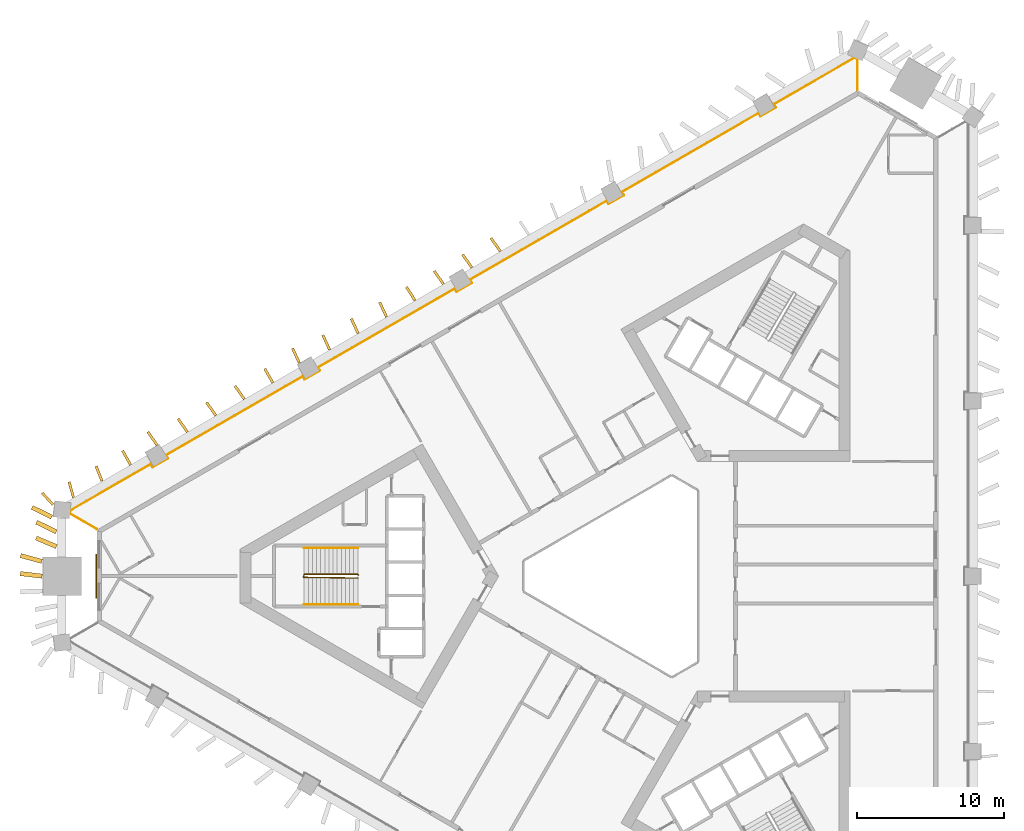
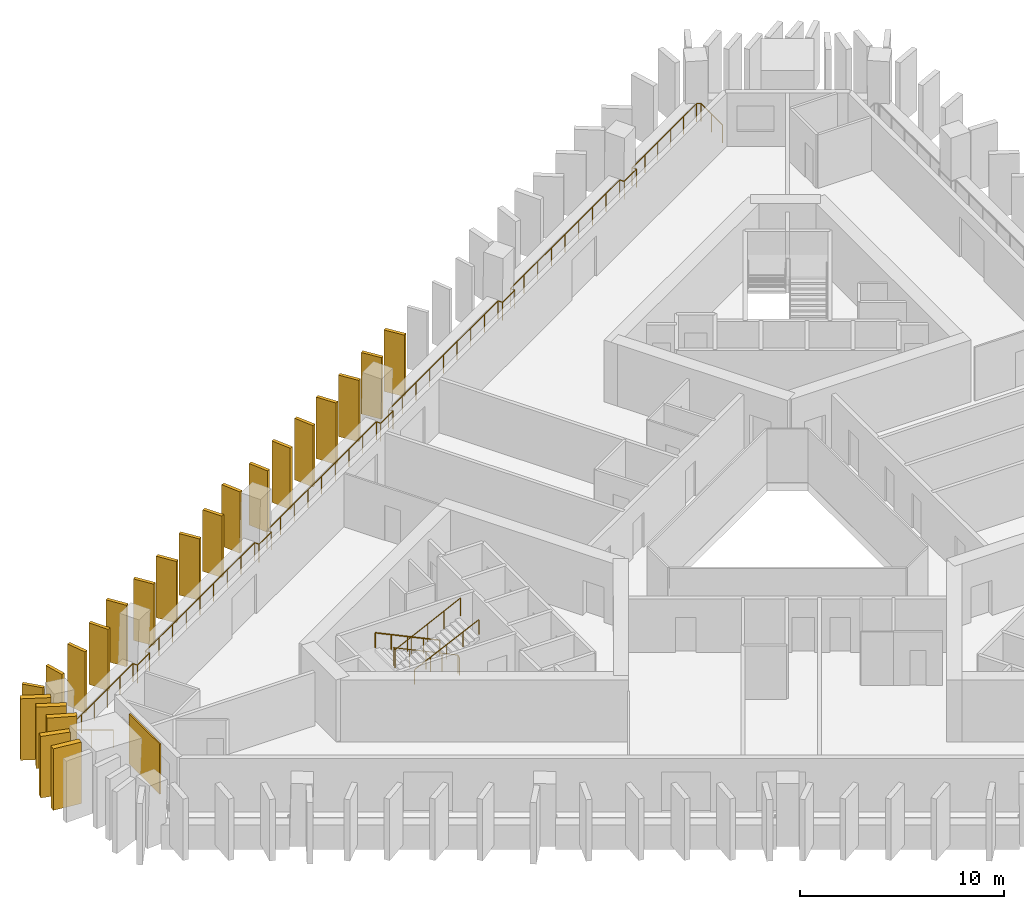
# One storey, part 8 of 10: 22 shading devices, 4 railings, 1 covering.
"""IFC4 building model written with IfcOpenShell, lengths in metres."""

from ifc_helpers import new_model, si_unit, direction, frame, frame_2d, origin, origin_2d, place, context, subcontext, project, spatial, rectangle, circle, extrude, material, layer, layer_set, type_object, element, save


model = new_model("IFC4")

# Units and contexts
model_context = context("Model", 3, precision=1e-05, world=origin(), true_north=direction((0.0, 1.0)))
body_context = subcontext(model_context, "Body", "Model", "MODEL_VIEW")
ifc_project = project(units=[si_unit("LENGTHUNIT", "METRE"), si_unit("AREAUNIT", "SQUARE_METRE"), si_unit("VOLUMEUNIT", "CUBIC_METRE"), si_unit("PLANEANGLEUNIT", "RADIAN"), si_unit("MASSUNIT", "GRAM", prefix="KILO")], contexts=[model_context])

# Site, building, storey
site_placement = place(None, origin())
site = spatial("IfcSite", under=ifc_project, at=site_placement, CompositionType="ELEMENT")
building_placement = place(site_placement, origin())
building = spatial("IfcBuilding", under=site, at=building_placement, Name="Jabali Bay Hotel Tower and Convention Centre", CompositionType="ELEMENT")
storey_placement = place(building_placement, frame((0.0, 0.0, 68.39990234375)))
storey = spatial("IfcBuildingStorey", under=building, at=storey_placement, Name="L15", CompositionType="ELEMENT", Elevation=68.39990234375)

# Railing
ifc_material_1 = material(Name="Glass", Category="glass")
railing_type_1 = type_object("IfcRailingType", Name="Loggia glass guard 1100", PredefinedType="BALUSTRADE", material=ifc_material_1)
railing_1_placement = place(storey_placement, frame((38.681884765625, 83.193603515625, 0.0)))
element("IfcRailing", 1, at=railing_1_placement, inside=storey, type_object=railing_type_1, Name="Loggia glass guard L15", PredefinedType="BALUSTRADE", context=body_context, shape_type="SweptSolid", body=[
    extrude(circle(Radius=0.02490234375, at=origin_2d()), frame((0.0, 0.0, 1.0751953125), z_axis=(-0.86605653045, 0.499946083158, 0.0), x_axis=(-0.495668975111, -0.858647296774, 0.13052619222)), (0.0, 0.0, 1.0), 2.110595703125),
    extrude(circle(Radius=0.02490234375, at=origin_2d()), frame((-1.827880859375, 1.05517578125, 1.0751953125), z_axis=(0.115918072513, 0.993258778197, 0.0), x_axis=(-0.984761311658, 0.114926377333, 0.13052619222)), (0.0, 0.0, 1.0), 0.21484375),
    extrude(circle(Radius=0.02490234375, at=origin_2d()), frame((-1.802978515625, 1.2685546875, 1.0751953125), z_axis=(0.866043460228, 0.499968724018, 0.0), x_axis=(-0.495691422276, 0.858634338369, 0.13052619222)), (0.0, 0.0, 1.0), 6.32177734375),
    extrude(circle(Radius=0.02490234375, at=origin_2d()), frame((3.671875, 4.42919921875, 1.0751953125), z_axis=(0.499919672301, -0.866071776036, 0.0), x_axis=(0.858662411932, 0.495642790202, 0.13052619222)), (0.0, 0.0, 1.0), 0.25),
    extrude(circle(Radius=0.02490234375, at=origin_2d()), frame((3.796875, 4.212646484375, 1.0751953125), z_axis=(0.866006032174, 0.500033551112, 0.0), x_axis=(-0.495755694765, 0.858597230518, 0.13052619222)), (0.0, 0.0, 1.0), 1.2001953125),
    extrude(circle(Radius=0.02490234375, at=origin_2d()), frame((4.836181640625, 4.812744140625, 1.0751953125), z_axis=(-0.499919672301, 0.866071776036, 0.0), x_axis=(-0.858662411932, -0.495642790202, 0.13052619222)), (0.0, 0.0, 1.0), 0.25),
    extrude(circle(Radius=0.02490234375, at=origin_2d()), frame((4.711181640625, 5.029296875, 1.0751953125), z_axis=(0.866022283585, 0.500005404305, 0.0), x_axis=(-0.495727788757, 0.858613342896, 0.13052619222)), (0.0, 0.0, 1.0), 10.73046875),
    extrude(circle(Radius=0.02490234375, at=origin_2d()), frame((14.00390625, 10.39453125, 1.0751953125), z_axis=(0.499919672301, -0.866071776036, 0.0), x_axis=(0.858662411932, 0.495642790202, 0.13052619222)), (0.0, 0.0, 1.0), 0.25),
    extrude(circle(Radius=0.02490234375, at=origin_2d()), frame((14.12890625, 10.177978515625, 1.0751953125), z_axis=(0.866006032174, 0.500033551112, 0.0), x_axis=(-0.495755694765, 0.858597230518, 0.13052619222)), (0.0, 0.0, 1.0), 1.2001953125),
    extrude(circle(Radius=0.02490234375, at=origin_2d()), frame((15.168212890625, 10.778076171875, 1.0751953125), z_axis=(-0.499919672301, 0.866071776036, 0.0), x_axis=(-0.858662411932, -0.495642790202, 0.13052619222)), (0.0, 0.0, 1.0), 0.25),
    extrude(circle(Radius=0.02490234375, at=origin_2d()), frame((15.043212890625, 10.99462890625, 1.0751953125), z_axis=(0.866027971625, 0.499995552344, 0.0), x_axis=(-0.495718021081, 0.858618982273, 0.13052619222)), (0.0, 0.0, 1.0), 10.73046875),
    extrude(circle(Radius=0.02490234375, at=origin_2d()), frame((24.336181640625, 16.35986328125, 1.0751953125), z_axis=(0.499919672301, -0.866071776036, 0.0), x_axis=(0.858662411932, 0.495642790202, 0.13052619222)), (0.0, 0.0, 1.0), 0.25),
    extrude(circle(Radius=0.02490234375, at=origin_2d()), frame((24.461181640625, 16.143310546875, 1.0751953125), z_axis=(0.865955154139, 0.50012165622, 0.0), x_axis=(-0.495843046121, 0.858546787751, 0.13052619222)), (0.0, 0.0, 1.0), 1.199951171875),
    extrude(circle(Radius=0.02490234375, at=origin_2d()), frame((25.500244140625, 16.743408203125, 1.0751953125), z_axis=(-0.500342721131, 0.865827443207, 0.0), x_axis=(-0.858420169404, -0.496062219791, 0.13052619222)), (0.0, 0.0, 1.0), 0.249755859375),
    extrude(circle(Radius=0.02490234375, at=origin_2d()), frame((25.375244140625, 16.959716796875, 1.0751953125), z_axis=(0.866018119769, 0.500012616072, 0.0), x_axis=(-0.495734938827, 0.858609214702, 0.13052619222)), (0.0, 0.0, 1.0), 10.730712890625),
    extrude(circle(Radius=0.02490234375, at=origin_2d()), frame((34.668212890625, 22.3251953125, 1.0751953125), z_axis=(0.499919672301, -0.866071776036, 0.0), x_axis=(0.858662411932, 0.495642790202, 0.13052619222)), (0.0, 0.0, 1.0), 0.25),
    extrude(circle(Radius=0.02490234375, at=origin_2d()), frame((34.793212890625, 22.108642578125, 1.0751953125), z_axis=(0.866094119867, 0.499880961361, 0.0), x_axis=(-0.49560441044, 0.858684564609, 0.13052619222)), (0.0, 0.0, 1.0), 1.199951171875),
    extrude(circle(Radius=0.02490234375, at=origin_2d()), frame((35.83251953125, 22.70849609375, 1.0751953125), z_axis=(-0.499919672301, 0.866071776036, 0.0), x_axis=(-0.858662411932, -0.495642790202, 0.13052619222)), (0.0, 0.0, 1.0), 0.25),
    extrude(circle(Radius=0.02490234375, at=origin_2d()), frame((35.70751953125, 22.925048828125, 1.0751953125), z_axis=(0.866027971625, 0.499995552344, 0.0), x_axis=(-0.495718021081, 0.858618982273, 0.13052619222)), (0.0, 0.0, 1.0), 10.73046875),
    extrude(circle(Radius=0.02490234375, at=origin_2d()), frame((45.00048828125, 28.290283203125, 1.0751953125), z_axis=(0.499919672301, -0.866071776036, 0.0), x_axis=(0.858662411932, 0.495642790202, 0.13052619222)), (0.0, 0.0, 1.0), 0.25),
    extrude(circle(Radius=0.02490234375, at=origin_2d()), frame((45.12548828125, 28.07373046875, 1.0751953125), z_axis=(0.865955154139, 0.50012165622, 0.0), x_axis=(-0.495843046121, 0.858546787751, 0.13052619222)), (0.0, 0.0, 1.0), 1.199951171875),
    extrude(circle(Radius=0.02490234375, at=origin_2d()), frame((46.16455078125, 28.673828125, 1.0751953125), z_axis=(-0.499919672301, 0.866071776036, 0.0), x_axis=(-0.858662411932, -0.495642790202, 0.13052619222)), (0.0, 0.0, 1.0), 0.25),
    extrude(circle(Radius=0.02490234375, at=origin_2d()), frame((46.03955078125, 28.890380859375, 1.0751953125), z_axis=(0.866026738007, 0.499997689051, 0.0), x_axis=(-0.495720139509, 0.858617759209, 0.13052619222)), (0.0, 0.0, 1.0), 6.32177734375),
    extrude(circle(Radius=0.02490234375, at=origin_2d()), frame((51.514404296875, 32.05126953125, 1.0751953125), z_axis=(0.917845837018, -0.396937047236, 0.0), x_axis=(0.393541195771, 0.909993538645, 0.13052619222)), (0.0, 0.0, 1.0), 0.214599609375),
    extrude(circle(Radius=0.02490234375, at=origin_2d()), frame((51.71142578125, 31.966064453125, 1.0751953125), z_axis=(0.0, -1.0, 0.0), x_axis=(0.991444861374, 0.0, 0.13052619222)), (0.0, 0.0, 1.0), 2.110595703125),
    extrude(circle(Radius=0.02001953125, at=origin_2d()), origin(), (0.0, 0.0, 1.0), 1.050048828125),
    extrude(circle(Radius=0.02001953125, at=origin_2d()), frame((-0.9140625, 0.527587890625, 0.0)), (0.0, 0.0, 1.0), 1.050048828125),
    extrude(circle(Radius=0.02001953125, at=origin_2d()), frame((-1.827880859375, 1.05517578125, 0.0)), (0.0, 0.0, 1.0), 1.050048828125),
    extrude(circle(Radius=0.02001953125, at=origin_2d()), frame((-1.802978515625, 1.2685546875, 0.0)), (0.0, 0.0, 1.0), 1.050048828125),
    extrude(circle(Radius=0.02001953125, at=origin_2d()), frame((-0.7080078125, 1.900634765625, 0.0)), (0.0, 0.0, 1.0), 1.050048828125),
    extrude(circle(Radius=0.02001953125, at=origin_2d()), frame((0.386962890625, 2.53271484375, 0.0)), (0.0, 0.0, 1.0), 1.050048828125),
    extrude(circle(Radius=0.02001953125, at=origin_2d()), frame((1.48193359375, 3.1650390625, 0.0)), (0.0, 0.0, 1.0), 1.050048828125),
    extrude(circle(Radius=0.02001953125, at=origin_2d()), frame((2.576904296875, 3.797119140625, 0.0)), (0.0, 0.0, 1.0), 1.050048828125),
    extrude(circle(Radius=0.02001953125, at=origin_2d()), frame((3.671875, 4.42919921875, 0.0)), (0.0, 0.0, 1.0), 1.050048828125),
    extrude(circle(Radius=0.02001953125, at=origin_2d()), frame((3.796875, 4.212646484375, 0.0)), (0.0, 0.0, 1.0), 1.050048828125),
    extrude(circle(Radius=0.02001953125, at=origin_2d()), frame((4.836181640625, 4.812744140625, 0.0)), (0.0, 0.0, 1.0), 1.050048828125),
    extrude(circle(Radius=0.02001953125, at=origin_2d()), frame((4.711181640625, 5.029296875, 0.0)), (0.0, 0.0, 1.0), 1.050048828125),
    extrude(circle(Radius=0.02001953125, at=origin_2d()), frame((5.872802734375, 5.699951171875, 0.0)), (0.0, 0.0, 1.0), 1.050048828125),
    extrude(circle(Radius=0.02001953125, at=origin_2d()), frame((7.034423828125, 6.37060546875, 0.0)), (0.0, 0.0, 1.0), 1.050048828125),
    extrude(circle(Radius=0.02001953125, at=origin_2d()), frame((8.196044921875, 7.041259765625, 0.0)), (0.0, 0.0, 1.0), 1.050048828125),
    extrude(circle(Radius=0.02001953125, at=origin_2d()), frame((9.357421875, 7.7119140625, 0.0)), (0.0, 0.0, 1.0), 1.050048828125),
    extrude(circle(Radius=0.02001953125, at=origin_2d()), frame((10.51904296875, 8.382568359375, 0.0)), (0.0, 0.0, 1.0), 1.050048828125),
    extrude(circle(Radius=0.02001953125, at=origin_2d()), frame((11.6806640625, 9.05322265625, 0.0)), (0.0, 0.0, 1.0), 1.050048828125),
    extrude(circle(Radius=0.02001953125, at=origin_2d()), frame((12.84228515625, 9.723876953125, 0.0)), (0.0, 0.0, 1.0), 1.050048828125),
    extrude(circle(Radius=0.02001953125, at=origin_2d()), frame((14.00390625, 10.39453125, 0.0)), (0.0, 0.0, 1.0), 1.050048828125),
    extrude(circle(Radius=0.02001953125, at=origin_2d()), frame((14.12890625, 10.177978515625, 0.0)), (0.0, 0.0, 1.0), 1.050048828125),
    extrude(circle(Radius=0.02001953125, at=origin_2d()), frame((15.168212890625, 10.778076171875, 0.0)), (0.0, 0.0, 1.0), 1.050048828125),
    extrude(circle(Radius=0.02001953125, at=origin_2d()), frame((15.043212890625, 10.99462890625, 0.0)), (0.0, 0.0, 1.0), 1.050048828125),
    extrude(circle(Radius=0.02001953125, at=origin_2d()), frame((16.204833984375, 11.665283203125, 0.0)), (0.0, 0.0, 1.0), 1.050048828125),
    extrude(circle(Radius=0.02001953125, at=origin_2d()), frame((17.366455078125, 12.3359375, 0.0)), (0.0, 0.0, 1.0), 1.050048828125),
    extrude(circle(Radius=0.02001953125, at=origin_2d()), frame((18.528076171875, 13.006591796875, 0.0)), (0.0, 0.0, 1.0), 1.050048828125),
    extrude(circle(Radius=0.02001953125, at=origin_2d()), frame((19.689697265625, 13.67724609375, 0.0)), (0.0, 0.0, 1.0), 1.050048828125),
    extrude(circle(Radius=0.02001953125, at=origin_2d()), frame((20.851318359375, 14.347900390625, 0.0)), (0.0, 0.0, 1.0), 1.050048828125),
    extrude(circle(Radius=0.02001953125, at=origin_2d()), frame((22.012939453125, 15.0185546875, 0.0)), (0.0, 0.0, 1.0), 1.050048828125),
    extrude(circle(Radius=0.02001953125, at=origin_2d()), frame((23.174560546875, 15.689208984375, 0.0)), (0.0, 0.0, 1.0), 1.050048828125),
    extrude(circle(Radius=0.02001953125, at=origin_2d()), frame((24.336181640625, 16.35986328125, 0.0)), (0.0, 0.0, 1.0), 1.050048828125),
    extrude(circle(Radius=0.02001953125, at=origin_2d()), frame((24.461181640625, 16.143310546875, 0.0)), (0.0, 0.0, 1.0), 1.050048828125),
    extrude(circle(Radius=0.02001953125, at=origin_2d()), frame((25.500244140625, 16.743408203125, 0.0)), (0.0, 0.0, 1.0), 1.050048828125),
    extrude(circle(Radius=0.02001953125, at=origin_2d()), frame((25.375244140625, 16.959716796875, 0.0)), (0.0, 0.0, 1.0), 1.050048828125),
    extrude(circle(Radius=0.02001953125, at=origin_2d()), frame((26.536865234375, 17.63037109375, 0.0)), (0.0, 0.0, 1.0), 1.050048828125),
    extrude(circle(Radius=0.02001953125, at=origin_2d()), frame((27.698486328125, 18.301025390625, 0.0)), (0.0, 0.0, 1.0), 1.050048828125),
    extrude(circle(Radius=0.02001953125, at=origin_2d()), frame((28.860107421875, 18.9716796875, 0.0)), (0.0, 0.0, 1.0), 1.050048828125),
    extrude(circle(Radius=0.02001953125, at=origin_2d()), frame((30.021728515625, 19.642578125, 0.0)), (0.0, 0.0, 1.0), 1.050048828125),
    extrude(circle(Radius=0.02001953125, at=origin_2d()), frame((31.183349609375, 20.313232421875, 0.0)), (0.0, 0.0, 1.0), 1.050048828125),
    extrude(circle(Radius=0.02001953125, at=origin_2d()), frame((32.344970703125, 20.98388671875, 0.0)), (0.0, 0.0, 1.0), 1.050048828125),
    extrude(circle(Radius=0.02001953125, at=origin_2d()), frame((33.506591796875, 21.654541015625, 0.0)), (0.0, 0.0, 1.0), 1.050048828125),
    extrude(circle(Radius=0.02001953125, at=origin_2d()), frame((34.668212890625, 22.3251953125, 0.0)), (0.0, 0.0, 1.0), 1.050048828125),
    extrude(circle(Radius=0.02001953125, at=origin_2d()), frame((34.793212890625, 22.108642578125, 0.0)), (0.0, 0.0, 1.0), 1.050048828125),
    extrude(circle(Radius=0.02001953125, at=origin_2d()), frame((35.83251953125, 22.70849609375, 0.0)), (0.0, 0.0, 1.0), 1.050048828125),
    extrude(circle(Radius=0.02001953125, at=origin_2d()), frame((35.70751953125, 22.925048828125, 0.0)), (0.0, 0.0, 1.0), 1.050048828125),
    extrude(circle(Radius=0.02001953125, at=origin_2d()), frame((36.869140625, 23.595703125, 0.0)), (0.0, 0.0, 1.0), 1.050048828125),
    extrude(circle(Radius=0.02001953125, at=origin_2d()), frame((38.03076171875, 24.266357421875, 0.0)), (0.0, 0.0, 1.0), 1.050048828125),
    extrude(circle(Radius=0.02001953125, at=origin_2d()), frame((39.1923828125, 24.93701171875, 0.0)), (0.0, 0.0, 1.0), 1.050048828125),
    extrude(circle(Radius=0.02001953125, at=origin_2d()), frame((40.35400390625, 25.607666015625, 0.0)), (0.0, 0.0, 1.0), 1.050048828125),
    extrude(circle(Radius=0.02001953125, at=origin_2d()), frame((41.515625, 26.2783203125, 0.0)), (0.0, 0.0, 1.0), 1.050048828125),
    extrude(circle(Radius=0.02001953125, at=origin_2d()), frame((42.67724609375, 26.948974609375, 0.0)), (0.0, 0.0, 1.0), 1.050048828125),
    extrude(circle(Radius=0.02001953125, at=origin_2d()), frame((43.8388671875, 27.61962890625, 0.0)), (0.0, 0.0, 1.0), 1.050048828125),
    extrude(circle(Radius=0.02001953125, at=origin_2d()), frame((45.00048828125, 28.290283203125, 0.0)), (0.0, 0.0, 1.0), 1.050048828125),
    extrude(circle(Radius=0.02001953125, at=origin_2d()), frame((45.12548828125, 28.07373046875, 0.0)), (0.0, 0.0, 1.0), 1.050048828125),
    extrude(circle(Radius=0.02001953125, at=origin_2d()), frame((46.16455078125, 28.673828125, 0.0)), (0.0, 0.0, 1.0), 1.050048828125),
    extrude(circle(Radius=0.02001953125, at=origin_2d()), frame((46.03955078125, 28.890380859375, 0.0)), (0.0, 0.0, 1.0), 1.050048828125),
    extrude(circle(Radius=0.02001953125, at=origin_2d()), frame((47.134521484375, 29.5224609375, 0.0)), (0.0, 0.0, 1.0), 1.050048828125),
    extrude(circle(Radius=0.02001953125, at=origin_2d()), frame((48.2294921875, 30.15478515625, 0.0)), (0.0, 0.0, 1.0), 1.050048828125),
    extrude(circle(Radius=0.02001953125, at=origin_2d()), frame((49.324462890625, 30.786865234375, 0.0)), (0.0, 0.0, 1.0), 1.050048828125),
    extrude(circle(Radius=0.02001953125, at=origin_2d()), frame((50.41943359375, 31.419189453125, 0.0)), (0.0, 0.0, 1.0), 1.050048828125),
    extrude(circle(Radius=0.02001953125, at=origin_2d()), frame((51.514404296875, 32.05126953125, 0.0)), (0.0, 0.0, 1.0), 1.050048828125),
    extrude(circle(Radius=0.02001953125, at=origin_2d()), frame((51.71142578125, 31.966064453125, 0.0)), (0.0, 0.0, 1.0), 1.050048828125),
    extrude(circle(Radius=0.02001953125, at=origin_2d()), frame((51.71142578125, 30.91064453125, 0.0)), (0.0, 0.0, 1.0), 1.050048828125),
    extrude(circle(Radius=0.02001953125, at=origin_2d()), frame((51.71142578125, 29.85546875, 0.0)), (0.0, 0.0, 1.0), 1.050048828125),
])

# Shading devices
ifc_material_2 = material(Name="Precast concrete C60", Category="concrete")
ifc_layer_1 = layer(ifc_material_2, 0.179931640625)
ifc_layer_set_1 = layer_set([ifc_layer_1], Name="Precast concrete C60")
shading_device_type_1 = type_object("IfcShadingDeviceType", Name="Precast fin 3680 x 1100", PredefinedType="USERDEFINED", material=ifc_layer_set_1)
shading_device_1_placement = place(storey_placement, frame((66.113525390625, 102.0927734375, 0.010009765625), z_axis=(0.0, 0.0, 1.0), x_axis=(-0.583901248501, 0.811824692898, 0.0)))
element("IfcShadingDevice", 2, at=shading_device_1_placement, inside=storey, type_object=shading_device_type_1, Name="Fin L15 049", ObjectType="FIN", PredefinedType="USERDEFINED", context=body_context, shape_type="SweptSolid", body=[
    extrude(rectangle(XDim=1.10009765625, YDim=0.179931640625, at=frame_2d((0.550048828125, 0.0))), origin(), (0.0, 0.0, 1.0), 3.68017578125),
])
shading_device_2_placement = place(storey_placement, frame((64.179443359375, 100.9755859375, 0.010009765625), z_axis=(0.0, 0.0, 1.0), x_axis=(-0.579746520491, 0.814796890016, 0.0)))
element("IfcShadingDevice", 3, at=shading_device_2_placement, inside=storey, type_object=shading_device_type_1, Name="Fin L15 050", ObjectType="FIN", PredefinedType="USERDEFINED", context=body_context, shape_type="SweptSolid", body=[
    extrude(rectangle(XDim=1.099853515625, YDim=0.179931640625, at=frame_2d((0.5498046875, 0.0))), origin(), (0.0, 0.0, 1.0), 3.68017578125),
])
for number, where, z_axis, x_axis, name in (
    (4, (62.2451171875, 99.858642578125, 0.010009765625), (0.0, 0.0, 1.0), (-0.577937284887, 0.816081181463, 0.0), "Fin L15 051"),
    (5, (60.313232421875, 98.737548828125, 0.010009765625), (0.0, 0.0, 1.0), (-0.532012444027, 0.846736534821, 0.0), "Fin L15 052"),
    (6, (58.376708984375, 97.62451171875, 0.010009765625), (0.0, 0.0, 1.0), (-0.423444262128, 0.905922158284, 0.0), "Fin L15 053"),
    (7, (56.442138671875, 96.508056640625, 0.010009765625), (0.0, 0.0, 1.0), (-0.419030028282, 0.9079723759, 0.0), "Fin L15 054"),
    (8, (54.5078125, 95.391357421875, 0.010009765625), (0.0, 0.0, 1.0), (-0.419030028282, 0.9079723759, 0.0), "Fin L15 055"),
):
    element("IfcShadingDevice", number, at=place(storey_placement, frame(where, z_axis=z_axis, x_axis=x_axis)), inside=storey, type_object=shading_device_type_1, Name=name, ObjectType="FIN", PredefinedType="USERDEFINED", context=body_context, shape_type="SweptSolid", body=[
        extrude(rectangle(XDim=1.10009765625, YDim=0.179931640625, at=frame_2d((0.550048828125, 0.0))), origin(), (0.0, 0.0, 1.0), 3.68017578125),
    ])
for number, where, z_axis, x_axis, name in (
    (9, (52.44482421875, 94.49755859375, 0.010009765625), (0.0, 0.0, 1.0), (-0.419114485961, 0.907933393845, 0.0), "Fin L15 056"),
    (10, (50.64306640625, 93.15087890625, 0.010009765625), (0.0, 0.0, 1.0), (-0.497620183385, 0.867395038657, 0.0), "Fin L15 057"),
):
    element("IfcShadingDevice", number, at=place(storey_placement, frame(where, z_axis=z_axis, x_axis=x_axis)), inside=storey, type_object=shading_device_type_1, Name=name, ObjectType="FIN", PredefinedType="USERDEFINED", context=body_context, shape_type="SweptSolid", body=[
        extrude(rectangle(XDim=1.099853515625, YDim=0.179931640625, at=frame_2d((0.5498046875, 0.0))), origin(), (0.0, 0.0, 1.0), 3.68017578125),
    ])
shading_device_3_placement = place(storey_placement, frame((48.704833984375, 92.041015625, 0.010009765625), z_axis=(0.0, 0.0, 1.0), x_axis=(-0.577284297539, 0.816543225931, 0.0)))
element("IfcShadingDevice", 11, at=shading_device_3_placement, inside=storey, type_object=shading_device_type_1, Name="Fin L15 058", ObjectType="FIN", PredefinedType="USERDEFINED", context=body_context, shape_type="SweptSolid", body=[
    extrude(rectangle(XDim=1.10009765625, YDim=0.179931640625, at=frame_2d((0.550048828125, 0.0))), origin(), (0.0, 0.0, 1.0), 3.68017578125),
])
shading_device_4_placement = place(storey_placement, frame((46.770263671875, 90.92431640625, 0.010009765625), z_axis=(0.0, 0.0, 1.0), x_axis=(-0.578041976706, 0.816007030096, 0.0)))
element("IfcShadingDevice", 12, at=shading_device_4_placement, inside=storey, type_object=shading_device_type_1, Name="Fin L15 059", ObjectType="FIN", PredefinedType="USERDEFINED", context=body_context, shape_type="SweptSolid", body=[
    extrude(rectangle(XDim=1.099853515625, YDim=0.179931640625, at=frame_2d((0.5498046875, 0.0))), origin(), (0.0, 0.0, 1.0), 3.68017578125),
])
for number, where, z_axis, x_axis, name in (
    (13, (44.8359375, 89.8076171875, 0.010009765625), (0.0, 0.0, 1.0), (-0.579893846653, 0.814692044035, 0.0), "Fin L15 060"),
    (14, (42.7734375, 88.912841796875, 0.010009765625), (0.0, 0.0, 1.0), (-0.569717666927, 0.8218404833, 0.0), "Fin L15 061"),
    (15, (40.970703125, 87.56787109375, 0.010009765625), (0.0, 0.0, 1.0), (-0.485850211157, 0.874042088414, 0.0), "Fin L15 062"),
    (16, (39.0302734375, 86.461669921875, 0.010009765625), (0.0, 0.0, 1.0), (-0.36218921355, 0.932104593695, 0.0), "Fin L15 063"),
):
    element("IfcShadingDevice", number, at=place(storey_placement, frame(where, z_axis=z_axis, x_axis=x_axis)), inside=storey, type_object=shading_device_type_1, Name=name, ObjectType="FIN", PredefinedType="USERDEFINED", context=body_context, shape_type="SweptSolid", body=[
        extrude(rectangle(XDim=1.10009765625, YDim=0.179931640625, at=frame_2d((0.550048828125, 0.0))), origin(), (0.0, 0.0, 1.0), 3.68017578125),
    ])
for number, where, z_axis, x_axis, name in (
    (17, (37.091796875, 85.352294921875, 0.010009765625), (0.0, 0.0, 1.0), (-0.271465437068, 0.962448188983, 0.0), "Fin L15 064"),
    (18, (35.7080078125, 84.852783203125, 0.010009765625), (0.0, 0.0, 1.0), (-0.676739115321, 0.736222907681, 0.0), "Fin L15 114"),
):
    element("IfcShadingDevice", number, at=place(storey_placement, frame(where, z_axis=z_axis, x_axis=x_axis)), inside=storey, type_object=shading_device_type_1, Name=name, ObjectType="FIN", PredefinedType="USERDEFINED", context=body_context, shape_type="SweptSolid", body=[
        extrude(rectangle(XDim=1.099853515625, YDim=0.179931640625, at=frame_2d((0.5498046875, 0.0))), origin(), (0.0, 0.0, 1.0), 3.68017578125),
    ])
ifc_layer_2 = layer(ifc_material_2, 0.300048828125)
ifc_layer_set_2 = layer_set([ifc_layer_2], Name="Precast concrete C60")
shading_device_type_2 = type_object("IfcShadingDeviceType", Name="Precast fin 3680 x 1500", PredefinedType="USERDEFINED", material=ifc_layer_set_2)
for number, where, z_axis, x_axis, name in (
    (19, (35.619873046875, 84.01904296875, 0.010009765625), (0.0, 0.0, 1.0), (-0.899129499022, 0.43768269784, 0.0), "Fin L15 065"),
    (20, (35.929443359375, 83.014404296875, 0.010009765625), (0.0, 0.0, 1.0), (-0.899129499022, 0.43768269784, 0.0), "Fin L15 066"),
):
    element("IfcShadingDevice", number, at=place(storey_placement, frame(where, z_axis=z_axis, x_axis=x_axis)), inside=storey, type_object=shading_device_type_2, Name=name, ObjectType="FIN", PredefinedType="USERDEFINED", context=body_context, shape_type="SweptSolid", body=[
        extrude(rectangle(XDim=1.5, YDim=0.300048828125, at=frame_2d((0.75, 0.0))), origin(), (0.0, 0.0, 1.0), 3.68017578125),
    ])
shading_device_5_placement = place(storey_placement, frame((35.9365234375, 82.009521484375, 0.010009765625), z_axis=(0.0, 0.0, 1.0), x_axis=(-0.920494876465, 0.390754631965, 0.0)))
element("IfcShadingDevice", 21, at=shading_device_5_placement, inside=storey, type_object=shading_device_type_2, Name="Fin L15 067", ObjectType="FIN", PredefinedType="USERDEFINED", context=body_context, shape_type="SweptSolid", body=[
    extrude(rectangle(XDim=1.500244140625, YDim=0.300048828125, at=frame_2d((0.75, 0.0))), origin(), (0.0, 0.0, 1.0), 3.68017578125),
])
shading_device_6_placement = place(storey_placement, frame((34.943115234375, 81.0048828125, 0.010009765625), z_axis=(0.0, 0.0, 1.0), x_axis=(-0.964564467039, 0.26384728334, 0.0)))
element("IfcShadingDevice", 22, at=shading_device_6_placement, inside=storey, type_object=shading_device_type_2, Name="Fin L15 068", ObjectType="FIN", PredefinedType="USERDEFINED", context=body_context, shape_type="SweptSolid", body=[
    extrude(rectangle(XDim=1.5, YDim=0.300048828125, at=frame_2d((0.75, 0.0))), origin(), (0.0, 0.0, 1.0), 3.68017578125),
])
shading_device_7_placement = place(storey_placement, frame((34.96484375, 80.0, 0.010009765625), z_axis=(0.0, 0.0, 1.0), x_axis=(-0.992991913424, 0.118182316253, 0.0)))
element("IfcShadingDevice", 23, at=shading_device_7_placement, inside=storey, type_object=shading_device_type_2, Name="Fin L15 069", ObjectType="FIN", PredefinedType="USERDEFINED", context=body_context, shape_type="SweptSolid", body=[
    extrude(rectangle(XDim=1.499755859375, YDim=0.300048828125, at=frame_2d((0.75, 0.0))), origin(), (0.0, 0.0, 1.0), 3.68017578125),
])

# Covering
ifc_material_3 = material(Name="Precast concrete C40/50", Category="concrete")
ifc_layer_3 = layer(ifc_material_3, 0.080078125)
ifc_layer_set_3 = layer_set([ifc_layer_3], Name="Precast concrete C40/50")
covering_type = type_object("IfcCoveringType", Name="Relief panel 3000 x 3000", PredefinedType="CLADDING", material=ifc_layer_set_3)
covering_placement = place(storey_placement, frame((38.641845703125, 80.0, 0.10009765625), z_axis=(0.0, 0.0, 1.0), x_axis=(0.0, 1.0, 0.0)))
element("IfcCovering", 24, at=covering_placement, inside=storey, type_object=covering_type, Name="Relief panel L15", PredefinedType="CLADDING", context=body_context, shape_type="SweptSolid", body=[
    extrude(rectangle(XDim=3.0, YDim=0.080078125, at=origin_2d()), origin(), (0.0, 0.0, 1.0), 3.0),
])

# Railings
ifc_material_4 = material(Name="Steel Q355B", Category="steel")
railing_type_2 = type_object("IfcRailingType", Name="Stair guard 1100", PredefinedType="GUARDRAIL", material=ifc_material_4)
railing_2_placement = place(storey_placement, frame((56.469970703125, 80.074951171875, 0.0)))
element("IfcRailing", 25, at=railing_2_placement, inside=storey, type_object=railing_type_2, Name="L15 ST1 stair guard 1", PredefinedType="GUARDRAIL", context=body_context, shape_type="SweptSolid", body=[
    extrude(circle(Radius=0.02392578125, at=origin_2d()), frame((0.0, 0.0, 1.076171875), z_axis=(-0.333514590198, 0.333514590198, 0.881780038474), x_axis=(-0.707106781187, -0.707106781187, 0.0)), (0.0, 0.0, 1.0), 0.150146484375),
    extrude(circle(Radius=0.02392578125, at=origin_2d()), frame((-0.050048828125, 0.050048828125, 1.20849609375), z_axis=(-0.904350763662, 0.0, 0.426789990819), x_axis=(0.0, -1.0, 0.0)), (0.0, 0.0, 1.0), 4.02490234375),
    extrude(circle(Radius=0.02392578125, at=origin_2d()), frame((-3.68994140625, 0.050048828125, 2.92626953125), z_axis=(-0.242814311512, -0.970072785993, 0.0), x_axis=(0.970072785993, -0.242814311512, 0.0)), (0.0, 0.0, 1.0), 0.2060546875),
    extrude(circle(Radius=0.02392578125, at=origin_2d()), frame((-3.739990234375, -0.14990234375, 2.92626953125), z_axis=(0.893864111827, -0.012124000458, 0.448174026692), x_axis=(0.013562335953, 0.999908027292, 0.0)), (0.0, 0.0, 1.0), 4.128173828125),
    extrude(circle(Radius=0.02099609375, at=origin_2d()), origin(), (0.0, 0.0, 1.0), 1.052001953125),
    extrude(circle(Radius=0.02099609375, at=origin_2d()), frame((-0.050048828125, 0.050048828125, 0.13232421875)), (0.0, 0.0, 1.0), 1.052001953125),
    extrude(circle(Radius=0.02099609375, at=origin_2d()), frame((-0.9599609375, 0.050048828125, 0.561767578125)), (0.0, 0.0, 1.0), 1.052001953125),
    extrude(circle(Radius=0.02099609375, at=origin_2d()), frame((-1.8701171875, 0.050048828125, 0.9912109375)), (0.0, 0.0, 1.0), 1.052001953125),
    extrude(circle(Radius=0.02099609375, at=origin_2d()), frame((-2.780029296875, 0.050048828125, 1.420654296875)), (0.0, 0.0, 1.0), 1.052001953125),
    extrude(circle(Radius=0.02099609375, at=origin_2d()), frame((-3.68994140625, 0.050048828125, 1.85009765625)), (0.0, 0.0, 1.0), 1.052001953125),
    extrude(circle(Radius=0.02099609375, at=origin_2d()), frame((-3.739990234375, -0.14990234375, 1.85009765625)), (0.0, 0.0, 1.0), 1.052001953125),
    extrude(circle(Radius=0.02099609375, at=origin_2d()), frame((-2.8173828125, -0.162353515625, 2.3125)), (0.0, 0.0, 1.0), 1.052001953125),
    extrude(circle(Radius=0.02099609375, at=origin_2d()), frame((-1.89501953125, -0.1748046875, 2.775146484375)), (0.0, 0.0, 1.0), 1.052001953125),
    extrude(circle(Radius=0.02099609375, at=origin_2d()), frame((-0.97265625, -0.1875, 3.23779296875)), (0.0, 0.0, 1.0), 1.052001953125),
    extrude(circle(Radius=0.02099609375, at=origin_2d()), frame((-0.050048828125, -0.199951171875, 3.7001953125)), (0.0, 0.0, 1.0), 1.052001953125),
])
railing_type_3 = type_object("IfcRailingType", Name="Stair handrail 900", PredefinedType="HANDRAIL", material=ifc_material_4)
railing_3_placement = place(storey_placement, frame((56.419921875, 81.925048828125, 0.13232421875)))
element("IfcRailing", 26, at=railing_3_placement, inside=storey, type_object=railing_type_3, Name="L15 ST1 stair handrail 1", PredefinedType="HANDRAIL", context=body_context, shape_type="SweptSolid", body=[
    extrude(circle(Radius=0.02392578125, at=origin_2d()), frame((0.0, 0.0, 0.8759765625), z_axis=(-0.904350763662, 0.0, 0.426789990819), x_axis=(0.0, -1.0, 0.0)), (0.0, 0.0, 1.0), 4.02490234375),
    extrude(circle(Radius=0.02099609375, at=origin_2d()), origin(), (0.0, 0.0, 1.0), 0.851806640625),
    extrude(circle(Radius=0.02099609375, at=origin_2d()), frame((-0.909912109375, 0.0, 0.429443359375)), (0.0, 0.0, 1.0), 0.851806640625),
    extrude(circle(Radius=0.02099609375, at=origin_2d()), frame((-1.81982421875, 0.0, 0.85888671875)), (0.0, 0.0, 1.0), 0.851806640625),
    extrude(circle(Radius=0.02099609375, at=origin_2d()), frame((-2.72998046875, 0.0, 1.288330078125)), (0.0, 0.0, 1.0), 0.851806640625),
    extrude(circle(Radius=0.02099609375, at=origin_2d()), frame((-3.639892578125, 0.0, 1.7177734375)), (0.0, 0.0, 1.0), 0.851806640625),
])
railing_4_placement = place(storey_placement, frame((52.780029296875, 78.074951171875, 1.982177734375)))
element("IfcRailing", 27, at=railing_4_placement, inside=storey, type_object=railing_type_3, Name="L15 ST1 stair handrail 2", PredefinedType="HANDRAIL", context=body_context, shape_type="SweptSolid", body=[
    extrude(circle(Radius=0.02392578125, at=origin_2d()), frame((0.0, 0.0, 0.8759765625), z_axis=(0.904327350853, 0.0, 0.426839598092), x_axis=(0.0, 1.0, 0.0)), (0.0, 0.0, 1.0), 4.02490234375),
    extrude(circle(Radius=0.02099609375, at=origin_2d()), origin(), (0.0, 0.0, 1.0), 0.851806640625),
    extrude(circle(Radius=0.02099609375, at=origin_2d()), frame((0.909912109375, 0.0, 0.429443359375)), (0.0, 0.0, 1.0), 0.851806640625),
    extrude(circle(Radius=0.02099609375, at=origin_2d()), frame((1.81982421875, 0.0, 0.85888671875)), (0.0, 0.0, 1.0), 0.851806640625),
    extrude(circle(Radius=0.02099609375, at=origin_2d()), frame((2.72998046875, 0.0, 1.28857421875)), (0.0, 0.0, 1.0), 0.851806640625),
    extrude(circle(Radius=0.02099609375, at=origin_2d()), frame((3.639892578125, 0.0, 1.718017578125)), (0.0, 0.0, 1.0), 0.851806640625),
])

save(model, "model.ifc")
